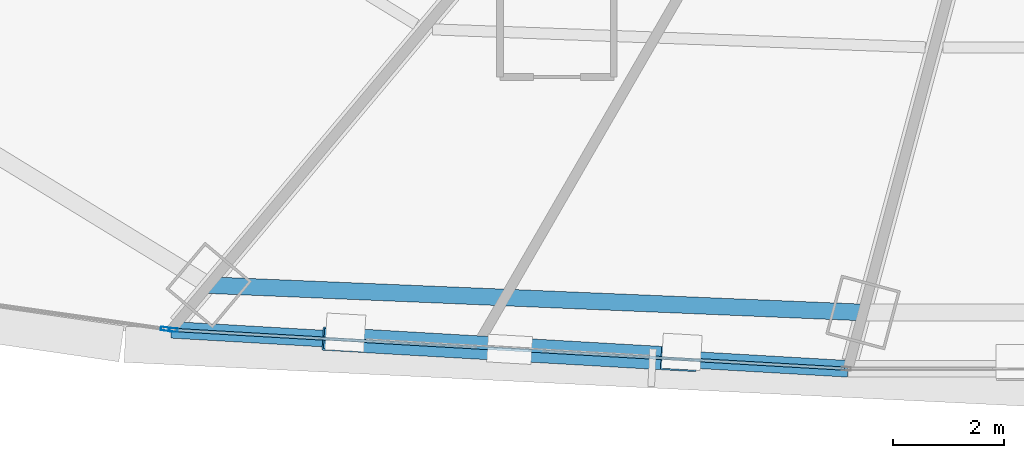
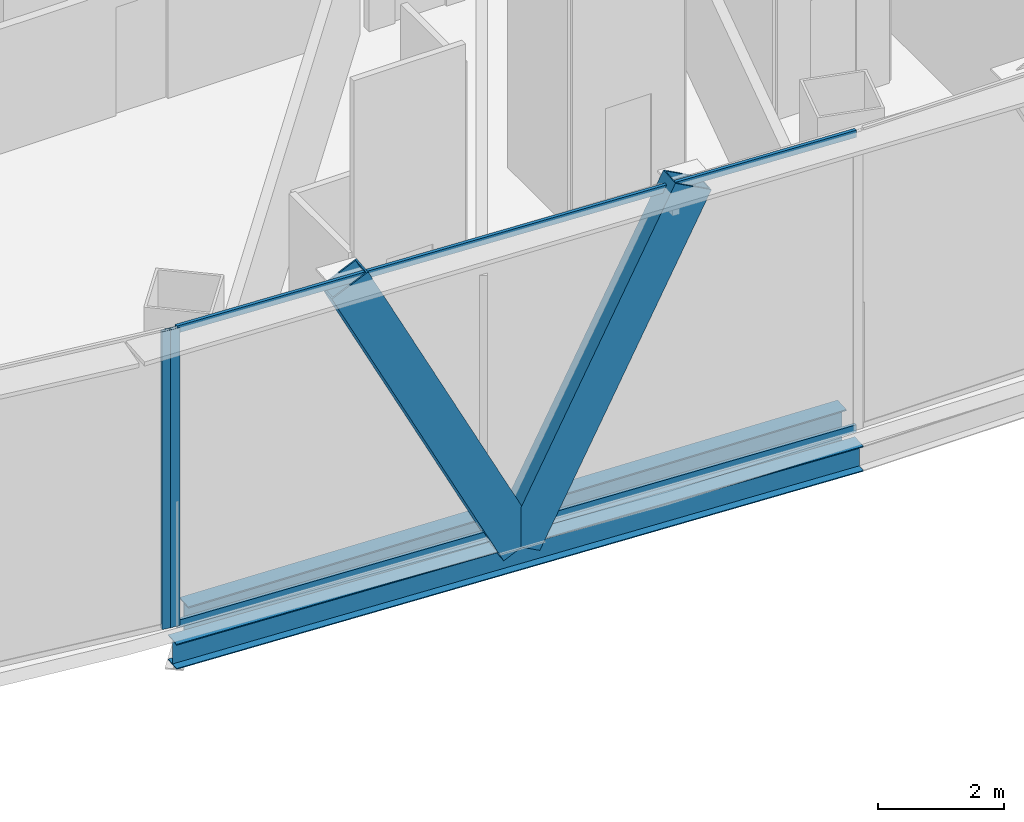
# One storey, part 6 of 41: 6 members, 2 beams, 2 elements without a shape of their own.
"""IFC4 building model written with IfcOpenShell, lengths in metres."""

from ifc_helpers import new_model, si_unit, direction, frame, origin, origin_2d, place, context, subcontext, project, spatial, hollow_rectangle, i_section, extrude, source, transform, mapped, material, layer, layer_set, material_profile, profile_set, type_object, element, aggregate, save


model = new_model("IFC4")

# Units and contexts
model_context = context("Model", 3, precision=1e-05, world=origin(), true_north=direction((0.0, 1.0)))
body_context = subcontext(model_context, "Body", "Model", "MODEL_VIEW")
ifc_project = project(units=[si_unit("LENGTHUNIT", "METRE"), si_unit("AREAUNIT", "SQUARE_METRE"), si_unit("VOLUMEUNIT", "CUBIC_METRE"), si_unit("PLANEANGLEUNIT", "RADIAN"), si_unit("MASSUNIT", "GRAM", prefix="KILO"), si_unit("THERMODYNAMICTEMPERATUREUNIT", "KELVIN"), si_unit("POWERUNIT", "WATT")], contexts=[model_context])

# Site, building, storey
site_placement = place(None, origin())
site = spatial("IfcSite", under=ifc_project, at=site_placement, CompositionType="ELEMENT")
building_placement = place(site_placement, origin())
building = spatial("IfcBuilding", under=site, at=building_placement, Name="Yunzhuo Pagoda Commons", CompositionType="ELEMENT")
storey_placement = place(building_placement, frame((0.0, 0.0, 70.330078125)))
storey = spatial("IfcBuildingStorey", under=building, at=storey_placement, Name="L18", CompositionType="ELEMENT", Elevation=70.330078125)

# Beams
ifc_material_1 = material(Name="Structural steel Q355B", Category="steel")
ifc_material_profile_1 = material_profile(ifc_material_1, i_section(OverallWidth=0.300048828125, OverallDepth=0.699951171875, WebThickness=0.012939453125, FlangeThickness=0.02392578125, at=origin_2d()), Name="Structural steel Q355B")
ifc_profile_set_1 = profile_set([ifc_material_profile_1], Name="Structural steel Q355B")
beam_type_1 = type_object("IfcBeamType", Name="B-RG1 Beam HN 700x300x13x24", PredefinedType="BEAM", material=ifc_profile_set_1)
shared_shape_1 = source(origin(), body_context, "Body", "SweptSolid", [
    extrude(i_section(OverallWidth=0.300048828125, OverallDepth=0.699951171875, WebThickness=0.012939453125, FlangeThickness=0.02392578125, at=origin_2d()), origin(), (0.0, 0.0, 1.0), 11.7900390625),
])
beam_1_placement = place(storey_placement, frame((30.5, 12.844482421875, -0.610107421875), z_axis=(0.99912739354, -0.041766631146, 0.0), x_axis=(0.041766631146, 0.99912739354, 0.0)))
element("IfcBeam", 1, at=beam_1_placement, inside=storey, type_object=beam_type_1, Name="L18 column-ring beam 1", PredefinedType="BEAM", context=body_context, shape_type="MappedRepresentation", body=[
    mapped(shared_shape_1, transform((0.0, 0.0, 0.0), scale=1.0)),
])
ifc_material_profile_2 = material_profile(ifc_material_1, i_section(OverallWidth=0.300048828125, OverallDepth=0.488037109375, WebThickness=0.010986328125, FlangeThickness=0.01806640625, at=origin_2d()), Name="Structural steel Q355B")
ifc_profile_set_2 = profile_set([ifc_material_profile_2], Name="Structural steel Q355B")
beam_type_2 = type_object("IfcBeamType", Name="B-SP1 Beam HM 488x300x11x18", PredefinedType="BEAM", material=ifc_profile_set_2)
shared_shape_2 = source(origin(), body_context, "Body", "SweptSolid", [
    extrude(i_section(OverallWidth=0.300048828125, OverallDepth=0.488037109375, WebThickness=0.010986328125, FlangeThickness=0.01806640625, at=origin_2d()), origin(), (0.0, 0.0, 1.0), 12.203125),
])
beam_2_placement = place(storey_placement, frame((29.8251953125, 12.0400390625, -0.504150390625), z_axis=(0.998343280555, -0.057538631989, 0.0), x_axis=(0.057538631989, 0.998343280555, 0.0)))
element("IfcBeam", 2, at=beam_2_placement, inside=storey, type_object=beam_type_2, Name="L18 facade edge spandrel beam F1.1", PredefinedType="BEAM", context=body_context, shape_type="MappedRepresentation", body=[
    mapped(shared_shape_2, transform((0.0, 0.0, 0.0), scale=1.0)),
])

# Members
ifc_material_2 = material(Name="Structural steel Q420B", Category="steel")
ifc_material_profile_3 = material_profile(ifc_material_2, hollow_rectangle(XDim=0.419921875, YDim=0.719970703125, WallThickness=0.028076171875, at=origin_2d()), Name="Structural steel Q420B")
ifc_profile_set_3 = profile_set([ifc_material_profile_3], Name="Structural steel Q420B")
member_type_1 = type_object("IfcMemberType", Name="M-DL1 Brace BOX 720x420x28", PredefinedType="BRACE", material=ifc_profile_set_3)
shared_shape_3 = source(origin(), body_context, "Body", "SweptSolid", [
    extrude(hollow_rectangle(XDim=0.419921875, YDim=0.719970703125, WallThickness=0.028076171875, at=origin_2d()), origin(), (0.0, 0.0, 1.0), 6.7578125),
])
for number, where, z_axis, x_axis, name in (
    (3, (35.91650390625, 11.68896484375, -0.260009765625), (-0.450686184719, 0.025975420185, 0.89230445502), (-0.05753978125, -0.998343214317, 0.0), "L18 facade diamond brace F1.1L"),
    (4, (35.91650390625, 11.68896484375, -0.260009765625), (0.450714549851, -0.026011099382, 0.892289088391), (0.057614940154, 0.998338879675, 0.0), "L18 facade diamond brace F1.1R"),
):
    element("IfcMember", number, at=place(storey_placement, frame(where, z_axis=z_axis, x_axis=x_axis)), inside=storey, type_object=member_type_1, Name=name, PredefinedType="BRACE", context=body_context, shape_type="MappedRepresentation", body=[
        mapped(shared_shape_3, transform((0.0, 0.0, 0.0), scale=1.0)),
    ])

# Curtain wall, members
ifc_material_3 = material(Name="Anodized aluminium 6063-T6", Category="aluminium")
ifc_layer = layer(ifc_material_3, 0.1650390625)
ifc_layer_set = layer_set([ifc_layer], Name="Anodized aluminium 6063-T6")
curtain_wall_type = type_object("IfcCurtainWallType", Name="CW-LOW Low-Zone Ribbon Curtain Wall", PredefinedType="NOTDEFINED", material=ifc_layer_set)
curtain_wall_1_placement = place(storey_placement, origin())
curtain_wall_1 = element("IfcCurtainWall", 5, at=curtain_wall_1_placement, inside=storey, type_object=curtain_wall_type, Name="L18 curtain wall CW-L18-F1B2", PredefinedType="NOTDEFINED")
ifc_material_profile_4 = material_profile(ifc_material_3, hollow_rectangle(XDim=0.06005859375, YDim=0.139892578125, WallThickness=0.00341796875, at=origin_2d()), Name="Anodized aluminium 6063-T6")
ifc_profile_set_4 = profile_set([ifc_material_profile_4], Name="Anodized aluminium 6063-T6")
member_type_2 = type_object("IfcMemberType", Name="CW-LOW-T Transom RHS 140x60x3.5", PredefinedType="USERDEFINED", material=ifc_profile_set_4)
shared_shape_4 = source(origin(), body_context, "Body", "SweptSolid", [
    extrude(hollow_rectangle(XDim=0.06005859375, YDim=0.139892578125, WallThickness=0.00341796875, at=origin_2d()), origin(), (0.0, 0.0, 1.0), 12.0732421875),
])
member_1_placement = place(storey_placement, frame((29.889892578125, 12.036376953125, 0.030029296875), z_axis=(0.998342579206, -0.057550799684, 0.0), x_axis=(0.057550799684, 0.998342579206, 0.0)))
member_1 = element("IfcMember", 6, at=member_1_placement, type_object=member_type_2, Name="CW transom 1.1", ObjectType="TRANSOM", PredefinedType="USERDEFINED", context=body_context, shape_type="MappedRepresentation", body=[
    mapped(shared_shape_4, transform((0.0, 0.0, 0.0), scale=1.0)),
])
member_2_placement = place(storey_placement, frame((29.889892578125, 12.036376953125, 5.739990234375), z_axis=(0.998342579206, -0.057550799684, 0.0), x_axis=(0.057550799684, 0.998342579206, 0.0)))
member_2 = element("IfcMember", 7, at=member_2_placement, type_object=member_type_2, Name="CW transom 1.2", ObjectType="TRANSOM", PredefinedType="USERDEFINED", context=body_context, shape_type="MappedRepresentation", body=[
    mapped(shared_shape_4, transform((0.0, 0.0, 0.0), scale=1.0)),
])
ifc_material_profile_5 = material_profile(ifc_material_3, hollow_rectangle(XDim=0.06494140625, YDim=0.1650390625, WallThickness=0.00390625, at=origin_2d()), Name="Anodized aluminium 6063-T6")
ifc_profile_set_5 = profile_set([ifc_material_profile_5], Name="Anodized aluminium 6063-T6")
member_type_3 = type_object("IfcMemberType", Name="CW-LOW-M Mullion RHS 165x65x4", PredefinedType="MULLION", material=ifc_profile_set_5)
shared_shape_5 = source(origin(), body_context, "Body", "SweptSolid", [
    extrude(hollow_rectangle(XDim=0.06494140625, YDim=0.1650390625, WallThickness=0.00390625, at=origin_2d()), origin(), (0.0, 0.0, 1.0), 5.77001953125),
])
member_3_placement = place(storey_placement, frame((29.857666015625, 12.0380859375, 0.0), z_axis=(0.0, 0.0, 1.0), x_axis=(0.057542190557, 0.998343075454, 0.0)))
member_3 = element("IfcMember", 8, at=member_3_placement, type_object=member_type_3, Name="CW mullion 1", PredefinedType="MULLION", context=body_context, shape_type="MappedRepresentation", body=[
    mapped(shared_shape_5, transform((0.0, 0.0, 0.0), scale=1.0)),
])
aggregate(curtain_wall_1, [member_3, member_1, member_2])

# Curtain wall, member
curtain_wall_2_placement = place(storey_placement, origin())
curtain_wall_2 = element("IfcCurtainWall", 9, at=curtain_wall_2_placement, inside=storey, type_object=curtain_wall_type, Name="L18 curtain wall CW-L18-F1B1", PredefinedType="NOTDEFINED")
member_4_placement = place(storey_placement, frame((29.71875, 12.05517578125, 0.0), z_axis=(0.0, 0.0, 1.0), x_axis=(0.141139872999, 0.989989664719, 0.0)))
member_4 = element("IfcMember", 10, at=member_4_placement, type_object=member_type_3, Name="CW mullion 2", PredefinedType="MULLION", context=body_context, shape_type="MappedRepresentation", body=[
    mapped(shared_shape_5, transform((0.0, 0.0, 0.0), scale=1.0)),
])
aggregate(curtain_wall_2, [member_4])

save(model, "model.ifc")
